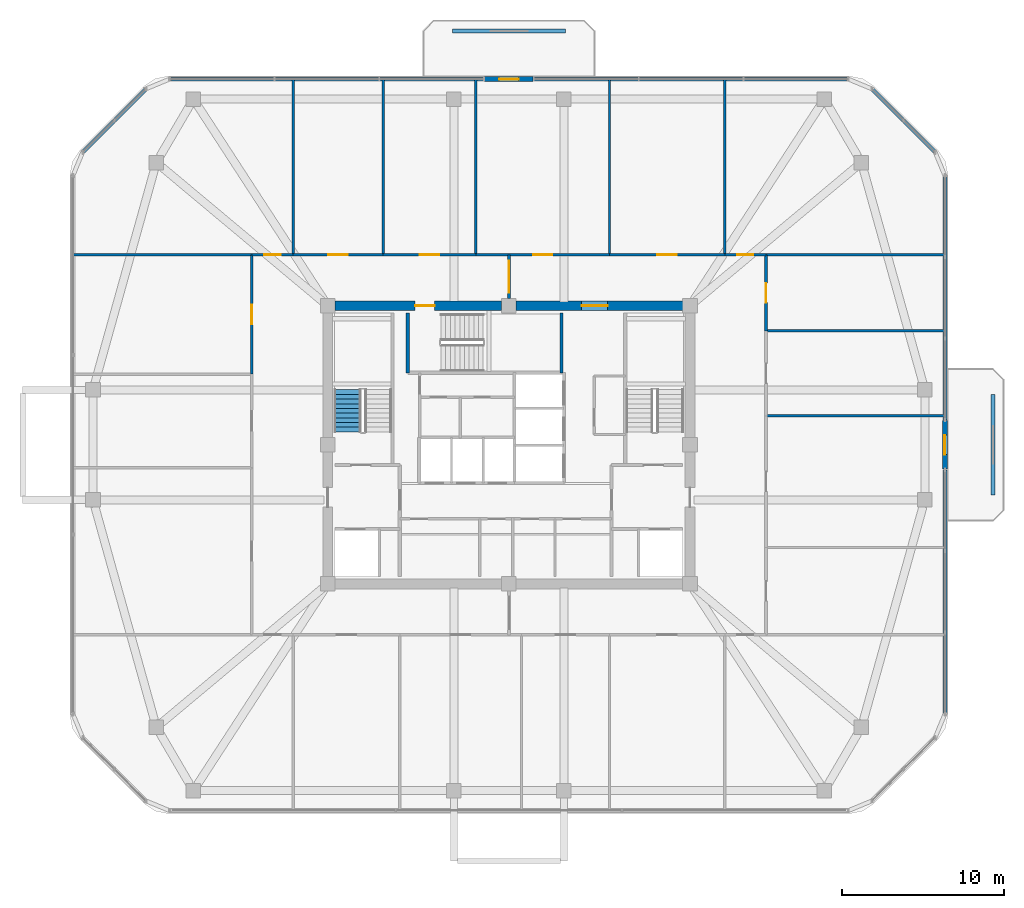
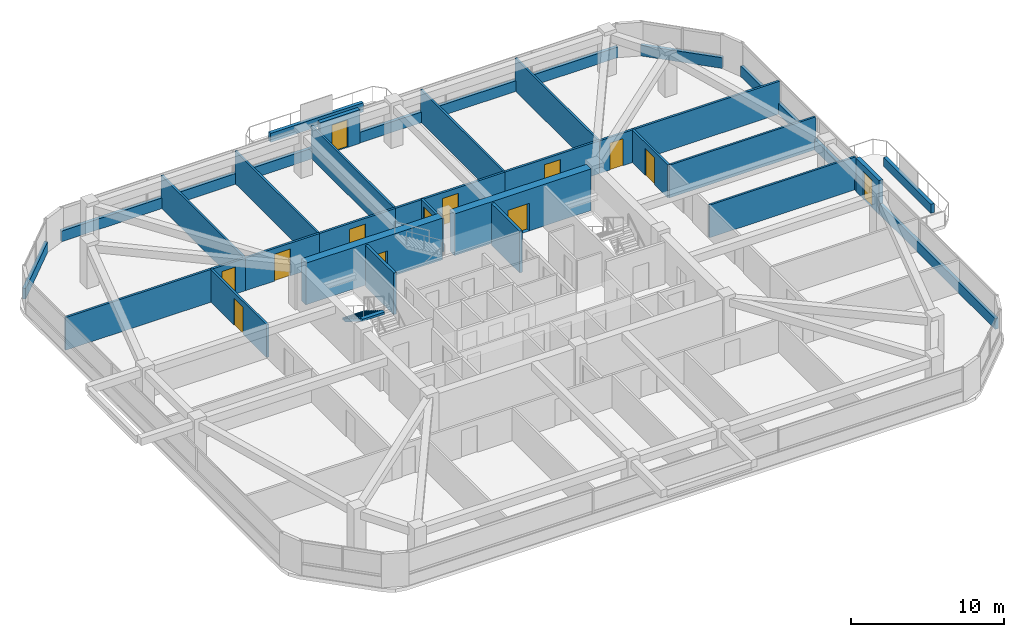
# One storey, part 11 of 14: 32 walls, 13 doors, 1 stair flight, 13 openings, 1 element without a shape of its own.
"""IFC4 building model written with IfcOpenShell, lengths in metres."""

from ifc_helpers import new_model, si_unit, derived_unit, direction, frame, frame_2d, origin, place, context, subcontext, project, spatial, polyline, rectangle, outline, extrude, material, layer, layer_set, type_object, element, fill, aggregate, save


model = new_model("IFC4")

# Units and contexts
model_context = context("Model", 3, precision=1e-05, world=origin(), true_north=direction((0.0, 1.0)))
body_context = subcontext(model_context, "Body", "Model", "MODEL_VIEW")
ifc_project = project(units=[si_unit("LENGTHUNIT", "METRE"), si_unit("AREAUNIT", "SQUARE_METRE"), si_unit("VOLUMEUNIT", "CUBIC_METRE"), si_unit("PLANEANGLEUNIT", "RADIAN"), si_unit("MASSUNIT", "GRAM", prefix="KILO"), derived_unit("THERMALTRANSMITTANCEUNIT", [(si_unit("POWERUNIT", "WATT"), 1), (si_unit("LENGTHUNIT", "METRE"), -2), (si_unit("THERMODYNAMICTEMPERATUREUNIT", "KELVIN"), -1)])], contexts=[model_context])

# Site, building, storey
site_placement = place(None, origin())
site = spatial("IfcSite", under=ifc_project, at=site_placement, CompositionType="ELEMENT")
building_placement = place(site_placement, origin())
building = spatial("IfcBuilding", under=site, at=building_placement, Name="Koralith Skygarden Medical Center", CompositionType="ELEMENT")
storey_placement = place(building_placement, frame((0.0, 0.0, 225.179931640625)))
storey = spatial("IfcBuildingStorey", under=building, at=storey_placement, Name="L58", CompositionType="ELEMENT", Elevation=225.179931640625)

# Walls
ifc_material_1 = material(Name="Gypsum Board Partition")
ifc_layer_1 = layer(ifc_material_1, 0.14990234375)
ifc_layer_set_1 = layer_set([ifc_layer_1], Name="Gypsum Board Partition")
wall_type_1 = type_object("IfcWallType", Name="Clinical Acoustic Partition 150", PredefinedType="PARTITIONING", material=ifc_layer_set_1)
for number, where, z_axis, x_axis, name in (
    (1, (23.64990234375, 37.64990234375, 0.0), (0.0, 0.0, 1.0), (0.0, 1.0, 0.0), "L58 Clinical Acoustic Partition 150 W-PART-L58-N-01"),
    (2, (29.222900390625, 37.64990234375, 0.0), (0.0, 0.0, 1.0), (0.0, 1.0, 0.0), "L58 Clinical Acoustic Partition 150 W-PART-L58-N-02"),
    (3, (34.9619140625, 37.64990234375, 0.0), (0.0, 0.0, 1.0), (0.0, 1.0, 0.0), "L58 Clinical Acoustic Partition 150 W-PART-L58-N-03"),
    (4, (43.220947265625, 37.64990234375, 0.0), (0.0, 0.0, 1.0), (0.0, 1.0, 0.0), "L58 Clinical Acoustic Partition 150 W-PART-L58-N-04"),
    (5, (50.35009765625, 37.64990234375, 0.0), (0.0, 0.0, 1.0), (0.0, 1.0, 0.0), "L58 Clinical Acoustic Partition 150 W-PART-L58-N-05"),
):
    element("IfcWall", number, at=place(storey_placement, frame(where, z_axis=z_axis, x_axis=x_axis)), inside=storey, type_object=wall_type_1, Name=name, PredefinedType="PARTITIONING", context=body_context, shape_type="SweptSolid", body=[
        extrude(rectangle(XDim=10.85009765625, YDim=0.14990234375, at=frame_2d((5.425048828125, 0.0))), origin(), (0.0, 0.0, 1.0), 2.610107421875),
    ])
for number, where, z_axis, x_axis, name in (
    (6, (52.89990234375, 27.699951171875, 0.0), (0.0, 0.0, 1.0), (1.0, 0.0, 0.0), "L58 Clinical Acoustic Partition 150 W-PART-L58-E-02"),
    (7, (52.89990234375, 32.949951171875, 0.0), (0.0, 0.0, 1.0), (1.0, 0.0, 0.0), "L58 Clinical Acoustic Partition 150 W-PART-L58-E-03"),
):
    element("IfcWall", number, at=place(storey_placement, frame(where, z_axis=z_axis, x_axis=x_axis)), inside=storey, type_object=wall_type_1, Name=name, PredefinedType="PARTITIONING", context=body_context, shape_type="SweptSolid", body=[
        extrude(rectangle(XDim=11.0419921875, YDim=0.14990234375, at=frame_2d((5.52099609375, 0.0))), origin(), (0.0, 0.0, 1.0), 2.610107421875),
    ])
ifc_layer_2 = layer(ifc_material_1, 0.1650390625)
ifc_layer_set_2 = layer_set([ifc_layer_2], Name="Gypsum Board Partition")
wall_type_2 = type_object("IfcWallType", Name="Clinical Corridor Partition 165", PredefinedType="PARTITIONING", material=ifc_layer_set_2)
for number, where, z_axis, x_axis, name in (
    (8, (10.05810546875, 37.64990234375, 0.0), (0.0, 0.0, 1.0), (1.0, 0.0, 0.0), "L58 Clinical Corridor Partition 165 W-WB-L58-NW"),
    (9, (52.89990234375, 37.64990234375, 0.0), (0.0, 0.0, 1.0), (1.0, 0.0, 0.0), "L58 Clinical Corridor Partition 165 W-WB-L58-NE"),
):
    element("IfcWall", number, at=place(storey_placement, frame(where, z_axis=z_axis, x_axis=x_axis)), inside=storey, type_object=wall_type_2, Name=name, PredefinedType="PARTITIONING", context=body_context, shape_type="SweptSolid", body=[
        extrude(rectangle(XDim=11.0419921875, YDim=0.1650390625, at=frame_2d((5.52099609375, 0.0))), origin(), (0.0, 0.0, 1.0), 2.610107421875),
    ])

# Wall, opening, door
wall_1_placement = place(storey_placement, frame((21.10009765625, 37.64990234375, 0.0), z_axis=(0.0, 0.0, 1.0), x_axis=(1.0, 0.0, 0.0)))
wall_1 = element("IfcWall", 10, at=wall_1_placement, inside=storey, type_object=wall_type_2, Name="L58 Clinical Corridor Partition 165 W-CORR-L58-N-01", PredefinedType="PARTITIONING", context=body_context, shape_type="SweptSolid", body=[
    extrude(rectangle(XDim=2.5498046875, YDim=0.1650390625, at=frame_2d((1.27490234375, 0.0))), origin(), (0.0, 0.0, 1.0), 2.610107421875),
])
opening_1_placement = place(wall_1_placement, frame((0.77490234375, 0.0, 0.0)))
opening_1 = element("IfcOpeningElement", 11, at=opening_1_placement, cuts=wall_1, Name="Opening D-SUP", PredefinedType="OPENING", context=body_context, shape_type="SweptSolid", body=[
    extrude(rectangle(XDim=1.0, YDim=2.14990234375, at=frame_2d((0.5, 1.074951171875))), frame((0.0, 0.092529296875, 0.0), z_axis=(0.0, -1.0, 0.0), x_axis=(1.0, 0.0, 0.0)), (0.0, 0.0, 1.0), 0.18505859375),
])
ifc_material_2 = material(Name="Aluminium 6063-T6", Category="aluminium")
door_type_1 = type_object("IfcDoorType", Name="Clinical Support Door D-SUP 1000", OperationType="NOTDEFINED", PredefinedType="DOOR", material=ifc_material_2)
door_1_placement = place(opening_1_placement, origin())
door_1 = element("IfcDoor", 12, at=door_1_placement, inside=storey, type_object=door_type_1, Name="L58 Medical Resident Teaching Seminar Room 01 Door", OperationType="SINGLE_SWING_RIGHT", OverallHeight=2.14990234375, OverallWidth=1.0, PredefinedType="DOOR", context=body_context, shape_type="SweptSolid", body=[
    extrude(rectangle(XDim=1.0, YDim=2.14990234375, at=frame_2d((0.5, 1.074951171875))), frame((0.0, 0.02490234375, 0.0), z_axis=(0.0, -1.0, 0.0), x_axis=(1.0, 0.0, 0.0)), (0.0, 0.0, 1.0), 0.050048828125),
])
fill(opening_1, door_1)

wall_2_placement = place(storey_placement, frame((23.64990234375, 37.64990234375, 0.0), z_axis=(0.0, 0.0, 1.0), x_axis=(1.0, 0.0, 0.0)))
wall_2 = element("IfcWall", 13, at=wall_2_placement, inside=storey, type_object=wall_type_2, Name="L58 Clinical Corridor Partition 165 W-CORR-L58-N-02", PredefinedType="PARTITIONING", context=body_context, shape_type="SweptSolid", body=[
    extrude(rectangle(XDim=5.572998046875, YDim=0.1650390625, at=frame_2d((2.78662109375, 0.0))), origin(), (0.0, 0.0, 1.0), 2.610107421875),
])
opening_2_placement = place(wall_2_placement, frame((2.18701171875, 0.0, 0.0)))
opening_2 = element("IfcOpeningElement", 14, at=opening_2_placement, cuts=wall_2, Name="Opening D-CLN", PredefinedType="OPENING", context=body_context, shape_type="SweptSolid", body=[
    extrude(rectangle(XDim=1.199951171875, YDim=2.14990234375, at=frame_2d((0.60009765625, 1.074951171875))), frame((0.0, 0.092529296875, 0.0), z_axis=(0.0, -1.0, 0.0), x_axis=(1.0, 0.0, 0.0)), (0.0, 0.0, 1.0), 0.18505859375),
])
door_type_2 = type_object("IfcDoorType", Name="Clinical Corridor Door D-CLN 1200", OperationType="NOTDEFINED", PredefinedType="DOOR", material=ifc_material_2)
door_2_placement = place(opening_2_placement, origin())
door_2 = element("IfcDoor", 15, at=door_2_placement, inside=storey, type_object=door_type_2, Name="L58 Care Coordinator Office 02 Door", OperationType="SINGLE_SWING_LEFT", OverallHeight=2.14990234375, OverallWidth=1.199951171875, PredefinedType="DOOR", context=body_context, shape_type="SweptSolid", body=[
    extrude(rectangle(XDim=1.199951171875, YDim=2.14990234375, at=frame_2d((0.60009765625, 1.074951171875))), frame((0.0, 0.02490234375, 0.0), z_axis=(0.0, -1.0, 0.0), x_axis=(1.0, 0.0, 0.0)), (0.0, 0.0, 1.0), 0.050048828125),
])
fill(opening_2, door_2)

wall_3_placement = place(storey_placement, frame((29.222900390625, 37.64990234375, 0.0), z_axis=(0.0, 0.0, 1.0), x_axis=(1.0, 0.0, 0.0)))
wall_3 = element("IfcWall", 16, at=wall_3_placement, inside=storey, type_object=wall_type_2, Name="L58 Clinical Corridor Partition 165 W-CORR-L58-N-03", PredefinedType="PARTITIONING", context=body_context, shape_type="SweptSolid", body=[
    extrude(rectangle(XDim=5.739013671875, YDim=0.1650390625, at=frame_2d((2.86962890625, 0.0))), origin(), (0.0, 0.0, 1.0), 2.610107421875),
])
opening_3_placement = place(wall_3_placement, frame((2.27001953125, 0.0, 0.0)))
opening_3 = element("IfcOpeningElement", 17, at=opening_3_placement, cuts=wall_3, Name="Opening D-CLN", PredefinedType="OPENING", context=body_context, shape_type="SweptSolid", body=[
    extrude(rectangle(XDim=1.199951171875, YDim=2.14990234375, at=frame_2d((0.60009765625, 1.074951171875))), frame((0.0, 0.092529296875, 0.0), z_axis=(0.0, -1.0, 0.0), x_axis=(1.0, 0.0, 0.0)), (0.0, 0.0, 1.0), 0.18505859375),
])
door_3_placement = place(opening_3_placement, origin())
door_3 = element("IfcDoor", 18, at=door_3_placement, inside=storey, type_object=door_type_2, Name="L58 Sterile Supply Equipment Store 03 Door", OperationType="SINGLE_SWING_RIGHT", OverallHeight=2.14990234375, OverallWidth=1.199951171875, PredefinedType="DOOR", context=body_context, shape_type="SweptSolid", body=[
    extrude(rectangle(XDim=1.199951171875, YDim=2.14990234375, at=frame_2d((0.60009765625, 1.074951171875))), frame((0.0, 0.02490234375, 0.0), z_axis=(0.0, -1.0, 0.0), x_axis=(1.0, 0.0, 0.0)), (0.0, 0.0, 1.0), 0.050048828125),
])
fill(opening_3, door_3)

wall_4_placement = place(storey_placement, frame((34.9619140625, 37.64990234375, 0.0), z_axis=(0.0, 0.0, 1.0), x_axis=(1.0, 0.0, 0.0)))
wall_4 = element("IfcWall", 19, at=wall_4_placement, inside=storey, type_object=wall_type_2, Name="L58 Clinical Corridor Partition 165 W-CORR-L58-N-04", PredefinedType="PARTITIONING", context=body_context, shape_type="SweptSolid", body=[
    extrude(rectangle(XDim=8.259033203125, YDim=0.1650390625, at=frame_2d((4.12939453125, 0.0))), origin(), (0.0, 0.0, 1.0), 2.610107421875),
])
opening_4_placement = place(wall_4_placement, frame((3.529052734375, 0.0, 0.0)))
opening_4 = element("IfcOpeningElement", 20, at=opening_4_placement, cuts=wall_4, Name="Opening D-CLN", PredefinedType="OPENING", context=body_context, shape_type="SweptSolid", body=[
    extrude(rectangle(XDim=1.199951171875, YDim=2.14990234375, at=frame_2d((0.60009765625, 1.074951171875))), frame((0.0, 0.092529296875, 0.0), z_axis=(0.0, -1.0, 0.0), x_axis=(1.0, 0.0, 0.0)), (0.0, 0.0, 1.0), 0.18505859375),
])
door_4_placement = place(opening_4_placement, origin())
door_4 = element("IfcDoor", 21, at=door_4_placement, inside=storey, type_object=door_type_2, Name="L58 Patient and Family Sky-Garden Day Lounge 04 Door", OperationType="SINGLE_SWING_LEFT", OverallHeight=2.14990234375, OverallWidth=1.199951171875, PredefinedType="DOOR", context=body_context, shape_type="SweptSolid", body=[
    extrude(rectangle(XDim=1.199951171875, YDim=2.14990234375, at=frame_2d((0.60009765625, 1.074951171875))), frame((0.0, 0.02490234375, 0.0), z_axis=(0.0, -1.0, 0.0), x_axis=(1.0, 0.0, 0.0)), (0.0, 0.0, 1.0), 0.050048828125),
])
fill(opening_4, door_4)

wall_5_placement = place(storey_placement, frame((43.220947265625, 37.64990234375, 0.0), z_axis=(0.0, 0.0, 1.0), x_axis=(1.0, 0.0, 0.0)))
wall_5 = element("IfcWall", 22, at=wall_5_placement, inside=storey, type_object=wall_type_2, Name="L58 Clinical Corridor Partition 165 W-CORR-L58-N-05", PredefinedType="PARTITIONING", context=body_context, shape_type="SweptSolid", body=[
    extrude(rectangle(XDim=7.129150390625, YDim=0.1650390625, at=frame_2d((3.564453125, 0.0))), origin(), (0.0, 0.0, 1.0), 2.610107421875),
])
opening_5_placement = place(wall_5_placement, frame((2.965087890625, 0.0, 0.0)))
opening_5 = element("IfcOpeningElement", 23, at=opening_5_placement, cuts=wall_5, Name="Opening D-CLN", PredefinedType="OPENING", context=body_context, shape_type="SweptSolid", body=[
    extrude(rectangle(XDim=1.199951171875, YDim=2.14990234375, at=frame_2d((0.60009765625, 1.074951171875))), frame((0.0, 0.092529296875, 0.0), z_axis=(0.0, -1.0, 0.0), x_axis=(1.0, 0.0, 0.0)), (0.0, 0.0, 1.0), 0.18505859375),
])
door_5_placement = place(opening_5_placement, origin())
door_5 = element("IfcDoor", 24, at=door_5_placement, inside=storey, type_object=door_type_2, Name="L58 Clinical Consultation Office 05 Door", OperationType="SINGLE_SWING_RIGHT", OverallHeight=2.14990234375, OverallWidth=1.199951171875, PredefinedType="DOOR", context=body_context, shape_type="SweptSolid", body=[
    extrude(rectangle(XDim=1.199951171875, YDim=2.14990234375, at=frame_2d((0.60009765625, 1.074951171875))), frame((0.0, 0.02490234375, 0.0), z_axis=(0.0, -1.0, 0.0), x_axis=(1.0, 0.0, 0.0)), (0.0, 0.0, 1.0), 0.050048828125),
])
fill(opening_5, door_5)

wall_6_placement = place(storey_placement, frame((50.35009765625, 37.64990234375, 0.0), z_axis=(0.0, 0.0, 1.0), x_axis=(1.0, 0.0, 0.0)))
wall_6 = element("IfcWall", 25, at=wall_6_placement, inside=storey, type_object=wall_type_2, Name="L58 Clinical Corridor Partition 165 W-CORR-L58-N-06", PredefinedType="PARTITIONING", context=body_context, shape_type="SweptSolid", body=[
    extrude(rectangle(XDim=2.5498046875, YDim=0.1650390625, at=frame_2d((1.27490234375, 0.0))), origin(), (0.0, 0.0, 1.0), 2.610107421875),
])
opening_6_placement = place(wall_6_placement, frame((0.77490234375, 0.0, 0.0)))
opening_6 = element("IfcOpeningElement", 26, at=opening_6_placement, cuts=wall_6, Name="Opening D-SUP", PredefinedType="OPENING", context=body_context, shape_type="SweptSolid", body=[
    extrude(rectangle(XDim=1.0, YDim=2.14990234375, at=frame_2d((0.5, 1.074951171875))), frame((0.0, 0.092529296875, 0.0), z_axis=(0.0, -1.0, 0.0), x_axis=(1.0, 0.0, 0.0)), (0.0, 0.0, 1.0), 0.18505859375),
])
door_6_placement = place(opening_6_placement, origin())
door_6 = element("IfcDoor", 27, at=door_6_placement, inside=storey, type_object=door_type_1, Name="L58 Medical Resident Teaching Seminar Room 06 Door", OperationType="SINGLE_SWING_LEFT", OverallHeight=2.14990234375, OverallWidth=1.0, PredefinedType="DOOR", context=body_context, shape_type="SweptSolid", body=[
    extrude(rectangle(XDim=1.0, YDim=2.14990234375, at=frame_2d((0.5, 1.074951171875))), frame((0.0, 0.02490234375, 0.0), z_axis=(0.0, -1.0, 0.0), x_axis=(1.0, 0.0, 0.0)), (0.0, 0.0, 1.0), 0.050048828125),
])
fill(opening_6, door_6)

wall_7_placement = place(storey_placement, frame((21.10009765625, 30.280029296875, 0.0), z_axis=(0.0, 0.0, 1.0), x_axis=(0.0, 1.0, 0.0)))
wall_7 = element("IfcWall", 28, at=wall_7_placement, inside=storey, type_object=wall_type_2, Name="L58 Clinical Corridor Partition 165 W-CORR-L58-W-03", PredefinedType="PARTITIONING", context=body_context, shape_type="SweptSolid", body=[
    extrude(rectangle(XDim=7.369873046875, YDim=0.1650390625, at=frame_2d((3.68505859375, 0.0))), origin(), (0.0, 0.0, 1.0), 2.610107421875),
])
opening_7_placement = place(wall_7_placement, frame((3.0849609375, 0.0, 0.0)))
opening_7 = element("IfcOpeningElement", 29, at=opening_7_placement, cuts=wall_7, Name="Opening D-CLN", PredefinedType="OPENING", context=body_context, shape_type="SweptSolid", body=[
    extrude(rectangle(XDim=1.199951171875, YDim=2.14990234375, at=frame_2d((0.60009765625, 1.074951171875))), frame((0.0, 0.092529296875, 0.0), z_axis=(0.0, -1.0, 0.0), x_axis=(1.0, 0.0, 0.0)), (0.0, 0.0, 1.0), 0.18505859375),
])
door_7_placement = place(opening_7_placement, frame((1.199951171875, 0.0, 0.0), z_axis=(0.0, 0.0, 1.0), x_axis=(-1.0, 0.0, 0.0)))
door_7 = element("IfcDoor", 30, at=door_7_placement, inside=storey, type_object=door_type_2, Name="L58 Care Coordinator Office 15 Door", OperationType="SINGLE_SWING_RIGHT", OverallHeight=2.14990234375, OverallWidth=1.199951171875, PredefinedType="DOOR", context=body_context, shape_type="SweptSolid", body=[
    extrude(rectangle(XDim=1.199951171875, YDim=2.14990234375, at=frame_2d((0.60009765625, 1.074951171875))), frame((0.0, 0.02490234375, 0.0), z_axis=(0.0, -1.0, 0.0), x_axis=(1.0, 0.0, 0.0)), (0.0, 0.0, 1.0), 0.050048828125),
])
fill(opening_7, door_7)

wall_8_placement = place(storey_placement, frame((52.89990234375, 32.949951171875, 0.0), z_axis=(0.0, 0.0, 1.0), x_axis=(0.0, 1.0, 0.0)))
wall_8 = element("IfcWall", 31, at=wall_8_placement, inside=storey, type_object=wall_type_2, Name="L58 Clinical Corridor Partition 165 W-CORR-L58-E-04", PredefinedType="PARTITIONING", context=body_context, shape_type="SweptSolid", body=[
    extrude(rectangle(XDim=4.699951171875, YDim=0.1650390625, at=frame_2d((2.35009765625, 0.0))), origin(), (0.0, 0.0, 1.0), 2.610107421875),
])
opening_8_placement = place(wall_8_placement, frame((1.75, 0.0, 0.0)))
opening_8 = element("IfcOpeningElement", 32, at=opening_8_placement, cuts=wall_8, Name="Opening D-CLN", PredefinedType="OPENING", context=body_context, shape_type="SweptSolid", body=[
    extrude(rectangle(XDim=1.199951171875, YDim=2.14990234375, at=frame_2d((0.60009765625, 1.074951171875))), frame((0.0, 0.092529296875, 0.0), z_axis=(0.0, -1.0, 0.0), x_axis=(1.0, 0.0, 0.0)), (0.0, 0.0, 1.0), 0.18505859375),
])
door_8_placement = place(opening_8_placement, origin())
door_8 = element("IfcDoor", 33, at=door_8_placement, inside=storey, type_object=door_type_2, Name="L58 Medical Resident Teaching Seminar Room 19 Door", OperationType="SINGLE_SWING_RIGHT", OverallHeight=2.14990234375, OverallWidth=1.199951171875, PredefinedType="DOOR", context=body_context, shape_type="SweptSolid", body=[
    extrude(rectangle(XDim=1.199951171875, YDim=2.14990234375, at=frame_2d((0.60009765625, 1.074951171875))), frame((0.0, 0.02490234375, 0.0), z_axis=(0.0, -1.0, 0.0), x_axis=(1.0, 0.0, 0.0)), (0.0, 0.0, 1.0), 0.050048828125),
])
fill(opening_8, door_8)

ifc_layer_3 = layer(ifc_material_1, 0.179931640625)
ifc_layer_set_3 = layer_set([ifc_layer_3], Name="Gypsum Board Partition")
wall_type_3 = type_object("IfcWallType", Name="Group I-2 Smoke Barrier Wall 180", PredefinedType="PARTITIONING", material=ifc_layer_set_3)
wall_9_placement = place(storey_placement, frame((37.0, 34.949951171875, 0.0), z_axis=(0.0, 0.0, 1.0), x_axis=(0.0, 1.0, 0.0)))
wall_9 = element("IfcWall", 34, at=wall_9_placement, inside=storey, type_object=wall_type_3, Name="L58 Group I-2 Smoke Barrier Wall 180 W-SMK-L58-N", PredefinedType="PARTITIONING", context=body_context, shape_type="SweptSolid", body=[
    extrude(rectangle(XDim=2.699951171875, YDim=0.179931640625, at=frame_2d((1.35009765625, 0.0))), origin(), (0.0, 0.0, 1.0), 2.610107421875),
])
opening_9_placement = place(wall_9_placement, frame((0.35009765625, 0.0, 0.0)))
opening_9 = element("IfcOpeningElement", 35, at=opening_9_placement, cuts=wall_9, Name="Opening D-SMK", PredefinedType="OPENING", context=body_context, shape_type="SweptSolid", body=[
    extrude(rectangle(XDim=2.0, YDim=2.199951171875, at=frame_2d((1.0, 1.10009765625))), frame((0.0, 0.099853515625, 0.0), z_axis=(0.0, -1.0, 0.0), x_axis=(1.0, 0.0, 0.0)), (0.0, 0.0, 1.0), 0.199951171875),
])
ifc_material_3 = material(Name="Steel ASTM A500 Grade C", Category="steel")
door_type_3 = type_object("IfcDoorType", Name="Cross-Corridor Double Smoke Door FD60S 2000", OperationType="NOTDEFINED", PredefinedType="DOOR", material=ifc_material_3)
door_9_placement = place(opening_9_placement, origin())
door_9 = element("IfcDoor", 36, at=door_9_placement, inside=storey, type_object=door_type_3, Name="L58 N Smoke Compartment Cross-Corridor Door", OperationType="DOUBLE_DOOR_SINGLE_SWING", OverallHeight=2.199951171875, OverallWidth=2.0, PredefinedType="DOOR", context=body_context, shape_type="SweptSolid", body=[
    extrude(rectangle(XDim=2.0, YDim=2.199951171875, at=frame_2d((1.0, 1.10009765625))), frame((0.0, 0.02490234375, 0.0), z_axis=(0.0, -1.0, 0.0), x_axis=(1.0, 0.0, 0.0)), (0.0, 0.0, 1.0), 0.050048828125),
])
fill(opening_9, door_9)

# Walls
ifc_material_4 = material(Name="Warm Oolitic Limestone Cladding", Category="masonry")
ifc_layer_4 = layer(ifc_material_4, 0.239990234375)
ifc_layer_set_4 = layer_set([ifc_layer_4], Name="Warm Oolitic Limestone Cladding")
wall_type_4 = type_object("IfcWallType", Name="Limestone Spandrel Sill Backup Wall 240", PredefinedType="SOLIDWALL", material=ifc_layer_set_4)
wall_10_placement = place(storey_placement, frame((63.9619140625, 9.2548828125, 0.0), z_axis=(0.0, 0.0, 1.0), x_axis=(0.0, 1.0, 0.0)))
element("IfcWall", 37, at=wall_10_placement, inside=storey, type_object=wall_type_4, Name="L58 Sill Spandrel E-L", PredefinedType="SOLIDWALL", context=body_context, shape_type="SweptSolid", body=[
    extrude(rectangle(XDim=15.105224609375, YDim=0.239990234375, at=frame_2d((7.552734375, 0.0))), origin(), (0.0, 0.0, 1.0), 0.85009765625),
])
wall_11_placement = place(storey_placement, frame((63.9619140625, 27.43994140625, 0.0), z_axis=(0.0, 0.0, 1.0), x_axis=(0.0, 1.0, 0.0)))
element("IfcWall", 38, at=wall_11_placement, inside=storey, type_object=wall_type_4, Name="L58 Sill Spandrel E-R", PredefinedType="SOLIDWALL", context=body_context, shape_type="SweptSolid", body=[
    extrude(rectangle(XDim=15.10498046875, YDim=0.239990234375, at=frame_2d((7.552490234375, 0.0))), origin(), (0.0, 0.0, 1.0), 0.85009765625),
])
wall_12_placement = place(storey_placement, frame((63.361083984375, 43.99609375, 0.0), z_axis=(0.0, 0.0, 1.0), x_axis=(-0.707128783731, 0.707084777957, 0.0)))
element("IfcWall", 39, at=wall_12_placement, inside=storey, type_object=wall_type_4, Name="L58 Sill Spandrel NE", PredefinedType="SOLIDWALL", context=body_context, shape_type="SweptSolid", body=[
    extrude(rectangle(XDim=5.5478515625, YDim=0.239990234375, at=frame_2d((2.77392578125, 0.0))), origin(), (0.0, 0.0, 1.0), 0.85009765625),
])
wall_13_placement = place(storey_placement, frame((57.987060546875, 48.52001953125, 0.0), z_axis=(0.0, 0.0, 1.0), x_axis=(-1.0, 0.0, 0.0)))
element("IfcWall", 40, at=wall_13_placement, inside=storey, type_object=wall_type_4, Name="L58 Sill Spandrel N-L", PredefinedType="SOLIDWALL", context=body_context, shape_type="SweptSolid", body=[
    extrude(rectangle(XDim=19.446044921875, YDim=0.239990234375, at=frame_2d((9.72314453125, 0.0))), origin(), (0.0, 0.0, 1.0), 0.85009765625),
])
wall_14_placement = place(storey_placement, frame((35.4609375, 48.52001953125, 0.0), z_axis=(0.0, 0.0, 1.0), x_axis=(-1.0, 0.0, 0.0)))
element("IfcWall", 41, at=wall_14_placement, inside=storey, type_object=wall_type_4, Name="L58 Sill Spandrel N-R", PredefinedType="SOLIDWALL", context=body_context, shape_type="SweptSolid", body=[
    extrude(rectangle(XDim=19.447998046875, YDim=0.239990234375, at=frame_2d((9.72412109375, 0.0))), origin(), (0.0, 0.0, 1.0), 0.85009765625),
])
wall_15_placement = place(storey_placement, frame((14.56201171875, 47.9189453125, 0.0), z_axis=(0.0, 0.0, 1.0), x_axis=(-0.707128783731, -0.707084777957, 0.0)))
element("IfcWall", 42, at=wall_15_placement, inside=storey, type_object=wall_type_4, Name="L58 Sill Spandrel NW", PredefinedType="SOLIDWALL", context=body_context, shape_type="SweptSolid", body=[
    extrude(rectangle(XDim=5.5478515625, YDim=0.239990234375, at=frame_2d((2.77392578125, 0.0))), origin(), (0.0, 0.0, 1.0), 0.85009765625),
])

# Wall, opening, door
ifc_layer_5 = layer(ifc_material_4, 0.300048828125)
ifc_layer_set_5 = layer_set([ifc_layer_5], Name="Warm Oolitic Limestone Cladding")
wall_type_5 = type_object("IfcWallType", Name="Oolitic Limestone Insulated Facade Wall 300", PredefinedType="SOLIDWALL", material=ifc_layer_set_5)
wall_16_placement = place(storey_placement, frame((63.9619140625, 24.39990234375, 0.0), z_axis=(0.0, 0.0, 1.0), x_axis=(0.0, 1.0, 0.0)))
wall_16 = element("IfcWall", 43, at=wall_16_placement, inside=storey, type_object=wall_type_5, Name="L58 Terrace Portal Wall E", PredefinedType="SOLIDWALL", context=body_context, shape_type="SweptSolid", body=[
    extrude(rectangle(XDim=3.0, YDim=0.300048828125, at=frame_2d((1.5, 0.0))), origin(), (0.0, 0.0, 1.0), 2.690185546875),
])
opening_10_placement = place(wall_16_placement, frame((0.89990234375, 0.0, 0.0)))
opening_10 = element("IfcOpeningElement", 44, at=opening_10_placement, cuts=wall_16, Name="Opening D-BAL", PredefinedType="OPENING", context=body_context, shape_type="SweptSolid", body=[
    extrude(rectangle(XDim=1.199951171875, YDim=2.199951171875, at=frame_2d((0.60009765625, 1.10009765625))), frame((0.0, 0.159912109375, 0.0), z_axis=(0.0, -1.0, 0.0), x_axis=(1.0, 0.0, 0.0)), (0.0, 0.0, 1.0), 0.320068359375),
])
door_type_4 = type_object("IfcDoorType", Name="Planted Balcony Glazed Terrace Door D-BAL 1200", OperationType="NOTDEFINED", PredefinedType="DOOR", material=ifc_material_2)
door_10_placement = place(opening_10_placement, origin())
door_10 = element("IfcDoor", 45, at=door_10_placement, inside=storey, type_object=door_type_4, Name="L58 E Outdoor Terrace Access Door", OperationType="SINGLE_SWING_LEFT", OverallHeight=2.199951171875, OverallWidth=1.199951171875, PredefinedType="DOOR", context=body_context, shape_type="SweptSolid", body=[
    extrude(rectangle(XDim=1.199951171875, YDim=2.199951171875, at=frame_2d((0.60009765625, 1.10009765625))), frame((0.0, 0.02490234375, 0.0), z_axis=(0.0, -1.0, 0.0), x_axis=(1.0, 0.0, 0.0)), (0.0, 0.0, 1.0), 0.050048828125),
])
fill(opening_10, door_10)

wall_17_placement = place(storey_placement, frame((38.5009765625, 48.52001953125, 0.0), z_axis=(0.0, 0.0, 1.0), x_axis=(-1.0, 0.0, 0.0)))
wall_17 = element("IfcWall", 46, at=wall_17_placement, inside=storey, type_object=wall_type_5, Name="L58 Terrace Portal Wall N", PredefinedType="SOLIDWALL", context=body_context, shape_type="SweptSolid", body=[
    extrude(rectangle(XDim=3.0, YDim=0.300048828125, at=frame_2d((1.5, 0.0))), origin(), (0.0, 0.0, 1.0), 2.690185546875),
])
opening_11_placement = place(wall_17_placement, frame((0.89990234375, 0.0, 0.0)))
opening_11 = element("IfcOpeningElement", 47, at=opening_11_placement, cuts=wall_17, Name="Opening D-BAL", PredefinedType="OPENING", context=body_context, shape_type="SweptSolid", body=[
    extrude(rectangle(XDim=1.199951171875, YDim=2.199951171875, at=frame_2d((0.60009765625, 1.10009765625))), frame((0.0, 0.159912109375, 0.0), z_axis=(0.0, -1.0, 0.0), x_axis=(1.0, 0.0, 0.0)), (0.0, 0.0, 1.0), 0.320068359375),
])
door_11_placement = place(opening_11_placement, origin())
door_11 = element("IfcDoor", 48, at=door_11_placement, inside=storey, type_object=door_type_4, Name="L58 N Outdoor Terrace Access Door", OperationType="SINGLE_SWING_LEFT", OverallHeight=2.199951171875, OverallWidth=1.199951171875, PredefinedType="DOOR", context=body_context, shape_type="SweptSolid", body=[
    extrude(rectangle(XDim=1.199951171875, YDim=2.199951171875, at=frame_2d((0.60009765625, 1.10009765625))), frame((0.0, 0.02490234375, 0.0), z_axis=(0.0, -1.0, 0.0), x_axis=(1.0, 0.0, 0.0)), (0.0, 0.0, 1.0), 0.050048828125),
])
fill(opening_11, door_11)

# Walls
ifc_material_5 = material(Name="Precast concrete C40/50", Category="concrete")
ifc_layer_6 = layer(ifc_material_5, 0.25)
ifc_layer_set_6 = layer_set([ifc_layer_6], Name="Precast concrete C40/50")
wall_type_6 = type_object("IfcWallType", Name="Structural Concrete Balcony Planter Kerb 250", PredefinedType="PARAPET", material=ifc_layer_set_6)
wall_18_placement = place(storey_placement, frame((33.5, 51.5, 0.0), z_axis=(0.0, 0.0, 1.0), x_axis=(1.0, 0.0, 0.0)))
element("IfcWall", 49, at=wall_18_placement, inside=storey, type_object=wall_type_6, Name="L58 N Structural Tree PLANTER Box", PredefinedType="PARAPET", context=body_context, shape_type="SweptSolid", body=[
    extrude(rectangle(XDim=7.0, YDim=0.25, at=frame_2d((3.5, 0.0))), origin(), (0.0, 0.0, 1.0), 0.719970703125),
])
wall_19_placement = place(storey_placement, frame((66.94189453125, 22.800048828125, 0.0), z_axis=(0.0, 0.0, 1.0), x_axis=(0.0, 1.0, 0.0)))
element("IfcWall", 50, at=wall_19_placement, inside=storey, type_object=wall_type_6, Name="L58 E Structural Tree PLANTER Box", PredefinedType="PARAPET", context=body_context, shape_type="SweptSolid", body=[
    extrude(rectangle(XDim=6.199951171875, YDim=0.25, at=frame_2d((3.10009765625, 0.0))), origin(), (0.0, 0.0, 1.0), 0.719970703125),
])
ifc_material_6 = material(Name="Concrete C45/55", Category="concrete")
ifc_layer_7 = layer(ifc_material_6, 0.199951171875)
ifc_layer_set_7 = layer_set([ifc_layer_7], Name="Concrete C45/55")
wall_type_7 = type_object("IfcWallType", Name="Structural Stair Shaft Wall 200", PredefinedType="SHEAR", material=ifc_layer_set_7)
for number, where, z_axis, x_axis, name in (
    (51, (30.75, 30.360107421875, 0.0), (0.0, 0.0, 1.0), (0.0, 1.0, 0.0), "L58 Structural Stair Shaft Wall 200 W-CORE-L58-ST3-W"),
    (52, (40.25, 30.360107421875, 0.0), (0.0, 0.0, 1.0), (0.0, 1.0, 0.0), "L58 Structural Stair Shaft Wall 200 W-CORE-L58-ST3-E"),
):
    element("IfcWall", number, at=place(storey_placement, frame(where, z_axis=z_axis, x_axis=x_axis)), inside=storey, type_object=wall_type_7, Name=name, PredefinedType="SHEAR", context=body_context, shape_type="SweptSolid", body=[
        extrude(rectangle(XDim=3.68994140625, YDim=0.199951171875, at=frame_2d((1.844970703125, 0.0))), origin(), (0.0, 0.0, 1.0), 3.320068359375),
    ])

# Wall, opening, door
ifc_material_7 = material(Name="Concrete C55/67", Category="concrete")
ifc_layer_8 = layer(ifc_material_7, 0.60009765625)
ifc_layer_set_8 = layer_set([ifc_layer_8], Name="Concrete C55/67")
wall_type_8 = type_object("IfcWallType", Name="Upper Core Shear Wall 600", PredefinedType="SHEAR", material=ifc_layer_set_8)
wall_20_placement = place(storey_placement, frame((47.7548828125, 34.5, 0.0), z_axis=(0.0, 0.0, 1.0), x_axis=(-1.0, 0.0, 0.0)))
wall_20 = element("IfcWall", 53, at=wall_20_placement, inside=storey, type_object=wall_type_8, Name="L58 Core Shear Wall Segment 5", PredefinedType="SHEAR", context=body_context, shape_type="SweptSolid", body=[
    extrude(rectangle(XDim=10.309814453125, YDim=0.60009765625, at=frame_2d((5.15478515625, 0.0))), origin(), (0.0, 0.0, 1.0), 3.320068359375),
])
opening_12_placement = place(wall_20_placement, frame((4.655029296875, 0.0, 0.0)))
opening_12 = element("IfcOpeningElement", 54, at=opening_12_placement, cuts=wall_20, Name="Opening D-DBL", PredefinedType="OPENING", context=body_context, shape_type="SweptSolid", body=[
    extrude(rectangle(XDim=1.60009765625, YDim=2.199951171875, at=frame_2d((0.800048828125, 1.10009765625))), frame((0.0, 0.31005859375, 0.0), z_axis=(0.0, -1.0, 0.0), x_axis=(1.0, 0.0, 0.0)), (0.0, 0.0, 1.0), 0.6201171875),
])
door_type_5 = type_object("IfcDoorType", Name="Double Clinical Suite Door D-DBL 1600", OperationType="NOTDEFINED", PredefinedType="DOOR", material=ifc_material_2)
door_12_placement = place(opening_12_placement, frame((1.60009765625, 0.0, 0.0), z_axis=(0.0, 0.0, 1.0), x_axis=(-1.0, 0.0, 0.0)))
door_12 = element("IfcDoor", 55, at=door_12_placement, inside=storey, type_object=door_type_5, Name="L58 North-East Corridor to Elevator Lobby Door", OperationType="DOUBLE_DOOR_SINGLE_SWING", OverallHeight=2.199951171875, OverallWidth=1.60009765625, PredefinedType="DOOR", context=body_context, shape_type="SweptSolid", body=[
    extrude(rectangle(XDim=1.60009765625, YDim=2.199951171875, at=frame_2d((0.800048828125, 1.10009765625))), frame((0.0, 0.02490234375, 0.0), z_axis=(0.0, -1.0, 0.0), x_axis=(1.0, 0.0, 0.0)), (0.0, 0.0, 1.0), 0.050048828125),
])
fill(opening_12, door_12)

wall_21_placement = place(storey_placement, frame((36.554931640625, 34.5, 0.0), z_axis=(0.0, 0.0, 1.0), x_axis=(-1.0, 0.0, 0.0)))
wall_21 = element("IfcWall", 56, at=wall_21_placement, inside=storey, type_object=wall_type_8, Name="L58 Core Shear Wall Segment 6", PredefinedType="SHEAR", context=body_context, shape_type="SweptSolid", body=[
    extrude(rectangle(XDim=10.309814453125, YDim=0.60009765625, at=frame_2d((5.15478515625, 0.0))), origin(), (0.0, 0.0, 1.0), 3.320068359375),
])
opening_13_placement = place(wall_21_placement, frame((4.155029296875, 0.0, 0.0)))
opening_13 = element("IfcOpeningElement", 57, at=opening_13_placement, cuts=wall_21, Name="Opening D-ST60", PredefinedType="OPENING", context=body_context, shape_type="SweptSolid", body=[
    extrude(rectangle(XDim=1.199951171875, YDim=2.14990234375, at=frame_2d((0.60009765625, 1.074951171875))), frame((0.0, 0.31005859375, 0.0), z_axis=(0.0, -1.0, 0.0), x_axis=(1.0, 0.0, 0.0)), (0.0, 0.0, 1.0), 0.6201171875),
])
door_type_6 = type_object("IfcDoorType", Name="Smokeproof Stair Fire Door FD60S 1200", OperationType="NOTDEFINED", PredefinedType="DOOR", material=ifc_material_3)
door_13_placement = place(opening_13_placement, frame((1.199951171875, 0.0, 0.0), z_axis=(0.0, 0.0, 1.0), x_axis=(-1.0, 0.0, 0.0)))
door_13 = element("IfcDoor", 58, at=door_13_placement, inside=storey, type_object=door_type_6, Name="L58 Exit Stair ST3 Fire Door", OperationType="SINGLE_SWING_LEFT", OverallHeight=2.14990234375, OverallWidth=1.199951171875, PredefinedType="DOOR", context=body_context, shape_type="SweptSolid", body=[
    extrude(rectangle(XDim=1.199951171875, YDim=2.14990234375, at=frame_2d((0.60009765625, 1.074951171875))), frame((0.0, 0.02490234375, 0.0), z_axis=(0.0, -1.0, 0.0), x_axis=(1.0, 0.0, 0.0)), (0.0, 0.0, 1.0), 0.050048828125),
])
fill(opening_13, door_13)

# Stair, stair flight
stair_type = type_object("IfcStairType", Name="Core Exit Dogleg Concrete Stair", PredefinedType="HALF_TURN_STAIR", material=ifc_material_6)
stair_placement = place(storey_placement, origin())
stair = element("IfcStair", 59, at=stair_placement, inside=storey, type_object=stair_type, Name="L58 Smokeproof Exit Stair ST1", PredefinedType="HALF_TURN_STAIR")
stair_flight_type = type_object("IfcStairFlightType", Name="Core Exit Concrete Stair Flight 1650", PredefinedType="STRAIGHT", material=ifc_material_6)
stair_flight_placement = place(storey_placement, frame((27.02490234375, 29.31005859375, 1.800048828125), z_axis=(0.0, 0.0, 1.0), x_axis=(0.0, -1.0, 0.0)))
stair_flight = element("IfcStairFlight", 60, at=stair_flight_placement, type_object=stair_flight_type, Name="ST1 flight 2", NumberOfRisers=10, NumberOfTreads=9, PredefinedType="STRAIGHT", RiserHeight=0.18, TreadLength=0.29, context=body_context, shape_type="SweptSolid", body=[
    extrude(outline(polyline([(0.0, 0.0), (0.0, 0.179931640625), (0.2900390625, 0.179931640625), (0.2900390625, 0.360107421875), (0.580078125, 0.360107421875), (0.580078125, 0.5400390625), (0.8701171875, 0.5400390625), (0.8701171875, 0.719970703125), (1.159912109375, 0.719970703125), (1.159912109375, 0.89990234375), (1.449951171875, 0.89990234375), (1.449951171875, 1.080078125), (1.739990234375, 1.080078125), (1.739990234375, 1.260009765625), (2.030029296875, 1.260009765625), (2.030029296875, 1.43994140625), (2.320068359375, 1.43994140625), (2.320068359375, 1.6201171875), (2.610107421875, 1.6201171875), (2.610107421875, 1.800048828125), (2.610107421875, 1.443603515625), (0.2841796875, 0.0), (0.0, 0.0)])), frame((0.0, 0.824951171875, 0.0), z_axis=(0.0, -1.0, 0.0), x_axis=(1.0, 0.0, 0.0)), (0.0, 0.0, 1.0), 1.64990234375),
])
aggregate(stair, [stair_flight])

save(model, "model.ifc")
